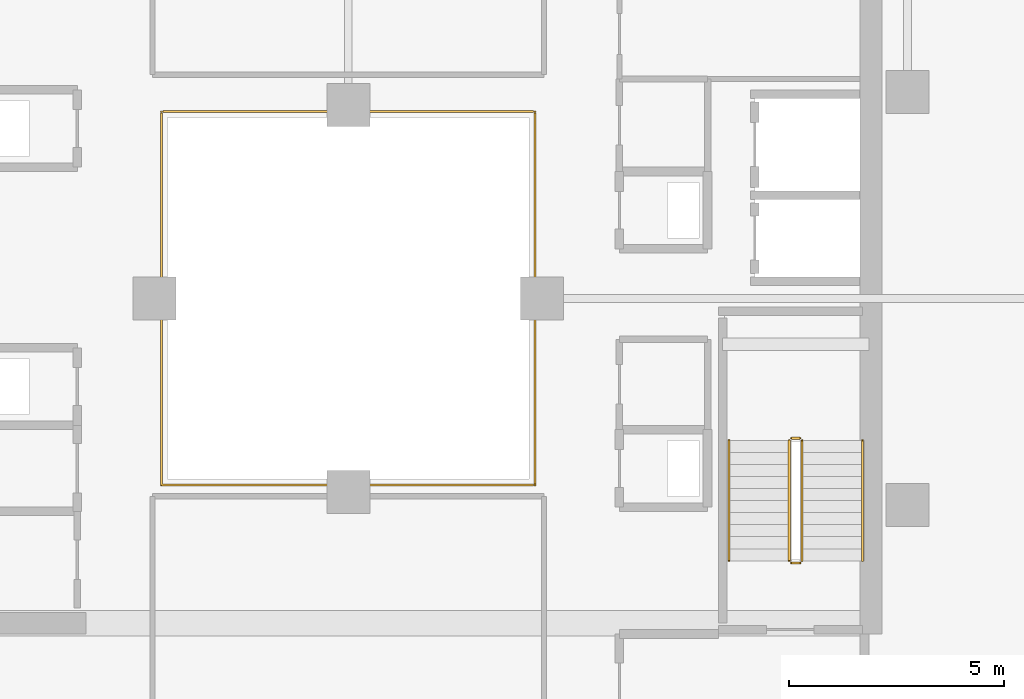
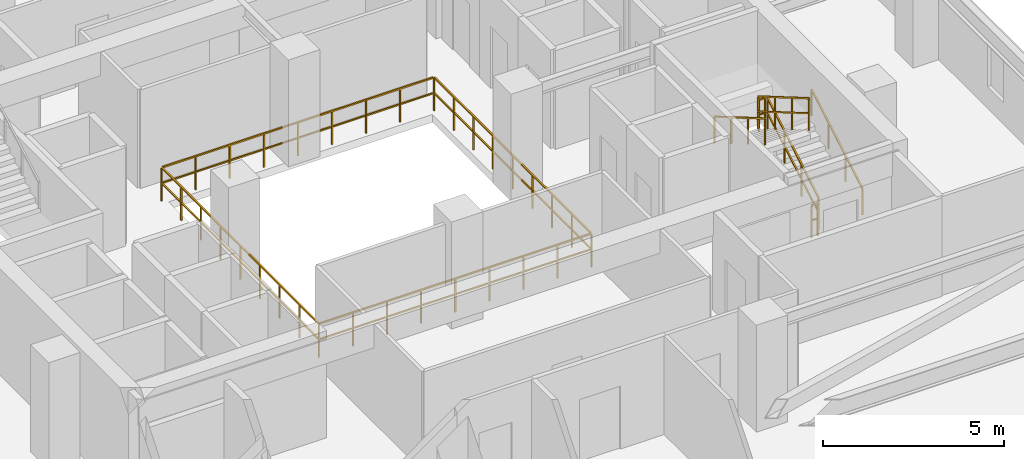
# One storey, part 31 of 32: 7 railings.
"""IFC4 building model written with IfcOpenShell, lengths in metres."""

from ifc_helpers import new_model, si_unit, direction, frame, origin, origin_2d, place, context, subcontext, project, spatial, rectangle, extrude, material, type_object, element, save


model = new_model("IFC4")

# Units and contexts
model_context = context("Model", 3, precision=1e-05, world=origin(), true_north=direction((0.0, 1.0)))
body_context = subcontext(model_context, "Body", "Model", "MODEL_VIEW")
ifc_project = project(units=[si_unit("LENGTHUNIT", "METRE"), si_unit("AREAUNIT", "SQUARE_METRE"), si_unit("VOLUMEUNIT", "CUBIC_METRE"), si_unit("PLANEANGLEUNIT", "RADIAN"), si_unit("MASSUNIT", "GRAM", prefix="KILO")], contexts=[model_context])

# Site, building, storey
site_placement = place(None, origin())
site = spatial("IfcSite", under=ifc_project, at=site_placement, CompositionType="ELEMENT")
building_placement = place(site_placement, origin())
building = spatial("IfcBuilding", under=site, at=building_placement, Name="Thornwick Lancets Civic Towers", CompositionType="ELEMENT")
storey_placement = place(building_placement, frame((0.0, 0.0, 200.10009765625)))
storey = spatial("IfcBuildingStorey", under=building, at=storey_placement, Name="L53", CompositionType="ELEMENT", Elevation=200.10009765625)

# Railings
ifc_material_1 = material(Name="Laminated glass and bronze steel S355", Category="steel")
railing_type_1 = type_object("IfcRailingType", Name="RAIL_ATRIUM_GUARD", PredefinedType="BALUSTRADE", material=ifc_material_1)
railing_1_placement = place(storey_placement, frame((84.159912109375, 22.659912109375, 0.0)))
element("IfcRailing", 1, at=railing_1_placement, inside=storey, type_object=railing_type_1, Name="L53 Tower B Central Atrium Guard Balustrade", PredefinedType="BALUSTRADE", context=body_context, shape_type="SweptSolid", body=[
    extrude(rectangle(XDim=0.048095703125, YDim=0.048095703125, at=origin_2d()), frame((0.0, 0.0, 1.1259765625), z_axis=(1.0, 0.0, 0.0), x_axis=(0.0, 1.0, 0.0)), (0.0, 0.0, 1.0), 8.64892578125),
    extrude(rectangle(XDim=0.0419921875, YDim=0.0419921875, at=origin_2d()), frame((0.03759765625, 0.0, 0.597900390625), z_axis=(1.0, 0.0, 0.0), x_axis=(0.0, 1.0, 0.0)), (0.0, 0.0, 1.0), 1.010009765625),
    extrude(rectangle(XDim=0.0419921875, YDim=0.0419921875, at=origin_2d()), frame((1.12255859375, 0.0, 0.597900390625), z_axis=(1.0, 0.0, 0.0), x_axis=(0.0, 1.0, 0.0)), (0.0, 0.0, 1.0), 1.010009765625),
    extrude(rectangle(XDim=0.0419921875, YDim=0.0419921875, at=origin_2d()), frame((2.20751953125, 0.0, 0.597900390625), z_axis=(1.0, 0.0, 0.0), x_axis=(0.0, 1.0, 0.0)), (0.0, 0.0, 1.0), 1.010009765625),
    extrude(rectangle(XDim=0.0419921875, YDim=0.0419921875, at=origin_2d()), frame((3.29248046875, 0.0, 0.597900390625), z_axis=(1.0, 0.0, 0.0), x_axis=(0.0, 1.0, 0.0)), (0.0, 0.0, 1.0), 1.010009765625),
    extrude(rectangle(XDim=0.0419921875, YDim=0.0419921875, at=origin_2d()), frame((4.377685546875, 0.0, 0.597900390625), z_axis=(1.0, 0.0, 0.0), x_axis=(0.0, 1.0, 0.0)), (0.0, 0.0, 1.0), 1.010009765625),
    extrude(rectangle(XDim=0.0419921875, YDim=0.0419921875, at=origin_2d()), frame((5.462646484375, 0.0, 0.597900390625), z_axis=(1.0, 0.0, 0.0), x_axis=(0.0, 1.0, 0.0)), (0.0, 0.0, 1.0), 1.010009765625),
    extrude(rectangle(XDim=0.0419921875, YDim=0.0419921875, at=origin_2d()), frame((6.547607421875, 0.0, 0.597900390625), z_axis=(1.0, 0.0, 0.0), x_axis=(0.0, 1.0, 0.0)), (0.0, 0.0, 1.0), 1.010009765625),
    extrude(rectangle(XDim=0.0419921875, YDim=0.0419921875, at=origin_2d()), frame((7.632568359375, 0.0, 0.597900390625), z_axis=(1.0, 0.0, 0.0), x_axis=(0.0, 1.0, 0.0)), (0.0, 0.0, 1.0), 1.010009765625),
    extrude(rectangle(XDim=0.048095703125, YDim=0.048095703125, at=origin_2d()), frame((8.68017578125, 0.03125, 1.1259765625), z_axis=(0.0, 1.0, 0.0), x_axis=(-1.0, 0.0, 0.0)), (0.0, 0.0, 1.0), 8.61767578125),
    extrude(rectangle(XDim=0.0419921875, YDim=0.0419921875, at=origin_2d()), frame((8.68017578125, 0.03759765625, 0.597900390625), z_axis=(0.0, 1.0, 0.0), x_axis=(-1.0, 0.0, 0.0)), (0.0, 0.0, 1.0), 1.010009765625),
    extrude(rectangle(XDim=0.0419921875, YDim=0.0419921875, at=origin_2d()), frame((8.68017578125, 1.12255859375, 0.597900390625), z_axis=(0.0, 1.0, 0.0), x_axis=(-1.0, 0.0, 0.0)), (0.0, 0.0, 1.0), 1.010009765625),
    extrude(rectangle(XDim=0.0419921875, YDim=0.0419921875, at=origin_2d()), frame((8.68017578125, 2.20751953125, 0.597900390625), z_axis=(0.0, 1.0, 0.0), x_axis=(-1.0, 0.0, 0.0)), (0.0, 0.0, 1.0), 1.010009765625),
    extrude(rectangle(XDim=0.0419921875, YDim=0.0419921875, at=origin_2d()), frame((8.68017578125, 3.29248046875, 0.597900390625), z_axis=(0.0, 1.0, 0.0), x_axis=(-1.0, 0.0, 0.0)), (0.0, 0.0, 1.0), 1.010009765625),
    extrude(rectangle(XDim=0.0419921875, YDim=0.0419921875, at=origin_2d()), frame((8.68017578125, 4.377685546875, 0.597900390625), z_axis=(0.0, 1.0, 0.0), x_axis=(-1.0, 0.0, 0.0)), (0.0, 0.0, 1.0), 1.010009765625),
    extrude(rectangle(XDim=0.0419921875, YDim=0.0419921875, at=origin_2d()), frame((8.68017578125, 5.462646484375, 0.597900390625), z_axis=(0.0, 1.0, 0.0), x_axis=(-1.0, 0.0, 0.0)), (0.0, 0.0, 1.0), 1.010009765625),
    extrude(rectangle(XDim=0.0419921875, YDim=0.0419921875, at=origin_2d()), frame((8.68017578125, 6.547607421875, 0.597900390625), z_axis=(0.0, 1.0, 0.0), x_axis=(-1.0, 0.0, 0.0)), (0.0, 0.0, 1.0), 1.010009765625),
    extrude(rectangle(XDim=0.0419921875, YDim=0.0419921875, at=origin_2d()), frame((8.68017578125, 7.632568359375, 0.597900390625), z_axis=(0.0, 1.0, 0.0), x_axis=(-1.0, 0.0, 0.0)), (0.0, 0.0, 1.0), 1.010009765625),
    extrude(rectangle(XDim=0.048095703125, YDim=0.048095703125, at=origin_2d()), frame((8.64892578125, 8.68017578125, 1.1259765625), z_axis=(-1.0, 0.0, 0.0), x_axis=(0.0, -1.0, 0.0)), (0.0, 0.0, 1.0), 8.61767578125),
    extrude(rectangle(XDim=0.0419921875, YDim=0.0419921875, at=origin_2d()), frame((8.642578125, 8.68017578125, 0.597900390625), z_axis=(-1.0, 0.0, 0.0), x_axis=(0.0, -1.0, 0.0)), (0.0, 0.0, 1.0), 1.010009765625),
    extrude(rectangle(XDim=0.0419921875, YDim=0.0419921875, at=origin_2d()), frame((7.5576171875, 8.68017578125, 0.597900390625), z_axis=(-1.0, 0.0, 0.0), x_axis=(0.0, -1.0, 0.0)), (0.0, 0.0, 1.0), 1.010009765625),
    extrude(rectangle(XDim=0.0419921875, YDim=0.0419921875, at=origin_2d()), frame((6.47265625, 8.68017578125, 0.597900390625), z_axis=(-1.0, 0.0, 0.0), x_axis=(0.0, -1.0, 0.0)), (0.0, 0.0, 1.0), 1.010009765625),
    extrude(rectangle(XDim=0.0419921875, YDim=0.0419921875, at=origin_2d()), frame((5.3876953125, 8.68017578125, 0.597900390625), z_axis=(-1.0, 0.0, 0.0), x_axis=(0.0, -1.0, 0.0)), (0.0, 0.0, 1.0), 1.010009765625),
    extrude(rectangle(XDim=0.0419921875, YDim=0.0419921875, at=origin_2d()), frame((4.302490234375, 8.68017578125, 0.597900390625), z_axis=(-1.0, 0.0, 0.0), x_axis=(0.0, -1.0, 0.0)), (0.0, 0.0, 1.0), 1.010009765625),
    extrude(rectangle(XDim=0.0419921875, YDim=0.0419921875, at=origin_2d()), frame((3.217529296875, 8.68017578125, 0.597900390625), z_axis=(-1.0, 0.0, 0.0), x_axis=(0.0, -1.0, 0.0)), (0.0, 0.0, 1.0), 1.010009765625),
    extrude(rectangle(XDim=0.0419921875, YDim=0.0419921875, at=origin_2d()), frame((2.132568359375, 8.68017578125, 0.597900390625), z_axis=(-1.0, 0.0, 0.0), x_axis=(0.0, -1.0, 0.0)), (0.0, 0.0, 1.0), 1.010009765625),
    extrude(rectangle(XDim=0.0419921875, YDim=0.0419921875, at=origin_2d()), frame((1.047607421875, 8.68017578125, 0.597900390625), z_axis=(-1.0, 0.0, 0.0), x_axis=(0.0, -1.0, 0.0)), (0.0, 0.0, 1.0), 1.010009765625),
    extrude(rectangle(XDim=0.048095703125, YDim=0.048095703125, at=origin_2d()), frame((0.0, 8.64892578125, 1.1259765625), z_axis=(0.0, -1.0, 0.0), x_axis=(1.0, 0.0, 0.0)), (0.0, 0.0, 1.0), 8.64892578125),
    extrude(rectangle(XDim=0.0419921875, YDim=0.0419921875, at=origin_2d()), frame((0.0, 8.642578125, 0.597900390625), z_axis=(0.0, -1.0, 0.0), x_axis=(1.0, 0.0, 0.0)), (0.0, 0.0, 1.0), 1.010009765625),
    extrude(rectangle(XDim=0.0419921875, YDim=0.0419921875, at=origin_2d()), frame((0.0, 7.5576171875, 0.597900390625), z_axis=(0.0, -1.0, 0.0), x_axis=(1.0, 0.0, 0.0)), (0.0, 0.0, 1.0), 1.010009765625),
    extrude(rectangle(XDim=0.0419921875, YDim=0.0419921875, at=origin_2d()), frame((0.0, 6.47265625, 0.597900390625), z_axis=(0.0, -1.0, 0.0), x_axis=(1.0, 0.0, 0.0)), (0.0, 0.0, 1.0), 1.010009765625),
    extrude(rectangle(XDim=0.0419921875, YDim=0.0419921875, at=origin_2d()), frame((0.0, 5.3876953125, 0.597900390625), z_axis=(0.0, -1.0, 0.0), x_axis=(1.0, 0.0, 0.0)), (0.0, 0.0, 1.0), 1.010009765625),
    extrude(rectangle(XDim=0.0419921875, YDim=0.0419921875, at=origin_2d()), frame((0.0, 4.302490234375, 0.597900390625), z_axis=(0.0, -1.0, 0.0), x_axis=(1.0, 0.0, 0.0)), (0.0, 0.0, 1.0), 1.010009765625),
    extrude(rectangle(XDim=0.0419921875, YDim=0.0419921875, at=origin_2d()), frame((0.0, 3.217529296875, 0.597900390625), z_axis=(0.0, -1.0, 0.0), x_axis=(1.0, 0.0, 0.0)), (0.0, 0.0, 1.0), 1.010009765625),
    extrude(rectangle(XDim=0.0419921875, YDim=0.0419921875, at=origin_2d()), frame((0.0, 2.132568359375, 0.597900390625), z_axis=(0.0, -1.0, 0.0), x_axis=(1.0, 0.0, 0.0)), (0.0, 0.0, 1.0), 1.010009765625),
    extrude(rectangle(XDim=0.0419921875, YDim=0.0419921875, at=origin_2d()), frame((0.0, 1.047607421875, 0.597900390625), z_axis=(0.0, -1.0, 0.0), x_axis=(1.0, 0.0, 0.0)), (0.0, 0.0, 1.0), 1.010009765625),
    extrude(rectangle(XDim=0.0419921875, YDim=0.0419921875, at=origin_2d()), origin(), (0.0, 0.0, 1.0), 1.095703125),
    extrude(rectangle(XDim=0.0419921875, YDim=0.0419921875, at=origin_2d()), frame((1.0849609375, 0.0, 0.0)), (0.0, 0.0, 1.0), 1.095703125),
    extrude(rectangle(XDim=0.0419921875, YDim=0.0419921875, at=origin_2d()), frame((2.169921875, 0.0, 0.0)), (0.0, 0.0, 1.0), 1.095703125),
    extrude(rectangle(XDim=0.0419921875, YDim=0.0419921875, at=origin_2d()), frame((3.255126953125, 0.0, 0.0)), (0.0, 0.0, 1.0), 1.095703125),
    extrude(rectangle(XDim=0.0419921875, YDim=0.0419921875, at=origin_2d()), frame((4.340087890625, 0.0, 0.0)), (0.0, 0.0, 1.0), 1.095703125),
    extrude(rectangle(XDim=0.0419921875, YDim=0.0419921875, at=origin_2d()), frame((5.425048828125, 0.0, 0.0)), (0.0, 0.0, 1.0), 1.095703125),
    extrude(rectangle(XDim=0.0419921875, YDim=0.0419921875, at=origin_2d()), frame((6.51025390625, 0.0, 0.0)), (0.0, 0.0, 1.0), 1.095703125),
    extrude(rectangle(XDim=0.0419921875, YDim=0.0419921875, at=origin_2d()), frame((7.59521484375, 0.0, 0.0)), (0.0, 0.0, 1.0), 1.095703125),
    extrude(rectangle(XDim=0.0419921875, YDim=0.0419921875, at=origin_2d()), frame((8.68017578125, 0.0, 0.0)), (0.0, 0.0, 1.0), 1.095703125),
    extrude(rectangle(XDim=0.0419921875, YDim=0.0419921875, at=origin_2d()), frame((8.68017578125, 1.0849609375, 0.0)), (0.0, 0.0, 1.0), 1.095703125),
    extrude(rectangle(XDim=0.0419921875, YDim=0.0419921875, at=origin_2d()), frame((8.68017578125, 2.169921875, 0.0)), (0.0, 0.0, 1.0), 1.095703125),
    extrude(rectangle(XDim=0.0419921875, YDim=0.0419921875, at=origin_2d()), frame((8.68017578125, 3.255126953125, 0.0)), (0.0, 0.0, 1.0), 1.095703125),
    extrude(rectangle(XDim=0.0419921875, YDim=0.0419921875, at=origin_2d()), frame((8.68017578125, 4.340087890625, 0.0)), (0.0, 0.0, 1.0), 1.095703125),
    extrude(rectangle(XDim=0.0419921875, YDim=0.0419921875, at=origin_2d()), frame((8.68017578125, 5.425048828125, 0.0)), (0.0, 0.0, 1.0), 1.095703125),
    extrude(rectangle(XDim=0.0419921875, YDim=0.0419921875, at=origin_2d()), frame((8.68017578125, 6.51025390625, 0.0)), (0.0, 0.0, 1.0), 1.095703125),
    extrude(rectangle(XDim=0.0419921875, YDim=0.0419921875, at=origin_2d()), frame((8.68017578125, 7.59521484375, 0.0)), (0.0, 0.0, 1.0), 1.095703125),
    extrude(rectangle(XDim=0.0419921875, YDim=0.0419921875, at=origin_2d()), frame((8.68017578125, 8.68017578125, 0.0)), (0.0, 0.0, 1.0), 1.095703125),
    extrude(rectangle(XDim=0.0419921875, YDim=0.0419921875, at=origin_2d()), frame((7.59521484375, 8.68017578125, 0.0)), (0.0, 0.0, 1.0), 1.095703125),
    extrude(rectangle(XDim=0.0419921875, YDim=0.0419921875, at=origin_2d()), frame((6.51025390625, 8.68017578125, 0.0)), (0.0, 0.0, 1.0), 1.095703125),
    extrude(rectangle(XDim=0.0419921875, YDim=0.0419921875, at=origin_2d()), frame((5.425048828125, 8.68017578125, 0.0)), (0.0, 0.0, 1.0), 1.095703125),
    extrude(rectangle(XDim=0.0419921875, YDim=0.0419921875, at=origin_2d()), frame((4.340087890625, 8.68017578125, 0.0)), (0.0, 0.0, 1.0), 1.095703125),
    extrude(rectangle(XDim=0.0419921875, YDim=0.0419921875, at=origin_2d()), frame((3.255126953125, 8.68017578125, 0.0)), (0.0, 0.0, 1.0), 1.095703125),
    extrude(rectangle(XDim=0.0419921875, YDim=0.0419921875, at=origin_2d()), frame((2.169921875, 8.68017578125, 0.0)), (0.0, 0.0, 1.0), 1.095703125),
    extrude(rectangle(XDim=0.0419921875, YDim=0.0419921875, at=origin_2d()), frame((1.0849609375, 8.68017578125, 0.0)), (0.0, 0.0, 1.0), 1.095703125),
    extrude(rectangle(XDim=0.0419921875, YDim=0.0419921875, at=origin_2d()), frame((0.0, 8.68017578125, 0.0)), (0.0, 0.0, 1.0), 1.095703125),
    extrude(rectangle(XDim=0.0419921875, YDim=0.0419921875, at=origin_2d()), frame((0.0, 7.59521484375, 0.0)), (0.0, 0.0, 1.0), 1.095703125),
    extrude(rectangle(XDim=0.0419921875, YDim=0.0419921875, at=origin_2d()), frame((0.0, 6.51025390625, 0.0)), (0.0, 0.0, 1.0), 1.095703125),
    extrude(rectangle(XDim=0.0419921875, YDim=0.0419921875, at=origin_2d()), frame((0.0, 5.425048828125, 0.0)), (0.0, 0.0, 1.0), 1.095703125),
    extrude(rectangle(XDim=0.0419921875, YDim=0.0419921875, at=origin_2d()), frame((0.0, 4.340087890625, 0.0)), (0.0, 0.0, 1.0), 1.095703125),
    extrude(rectangle(XDim=0.0419921875, YDim=0.0419921875, at=origin_2d()), frame((0.0, 3.255126953125, 0.0)), (0.0, 0.0, 1.0), 1.095703125),
    extrude(rectangle(XDim=0.0419921875, YDim=0.0419921875, at=origin_2d()), frame((0.0, 2.169921875, 0.0)), (0.0, 0.0, 1.0), 1.095703125),
    extrude(rectangle(XDim=0.0419921875, YDim=0.0419921875, at=origin_2d()), frame((0.0, 1.0849609375, 0.0)), (0.0, 0.0, 1.0), 1.095703125),
])
ifc_material_2 = material(Name="Brushed stainless steel S355", Category="steel")
railing_type_2 = type_object("IfcRailingType", Name="RAIL_HANDRAIL", PredefinedType="HANDRAIL", material=ifc_material_2)
railing_2_placement = place(storey_placement, frame((100.449951171875, 20.89990234375, 0.16357421875)))
element("IfcRailing", 2, at=railing_2_placement, inside=storey, type_object=railing_type_2, Name="L53 ST-B1 stair handrail 1", PredefinedType="HANDRAIL", context=body_context, shape_type="SweptSolid", body=[
    extrude(rectangle(XDim=0.048095703125, YDim=0.048095703125, at=origin_2d()), frame((0.0, 0.0, 0.8857421875), z_axis=(0.0, 0.863393664356, 0.504530851732), x_axis=(-1.0, 0.0, 0.0)), (0.0, 0.0, 1.0), 3.2431640625),
    extrude(rectangle(XDim=0.0419921875, YDim=0.0419921875, at=origin_2d()), origin(), (0.0, 0.0, 1.0), 0.855712890625),
    extrude(rectangle(XDim=0.0419921875, YDim=0.0419921875, at=origin_2d()), frame((0.0, 0.933349609375, 0.54541015625)), (0.0, 0.0, 1.0), 0.855712890625),
    extrude(rectangle(XDim=0.0419921875, YDim=0.0419921875, at=origin_2d()), frame((0.0, 1.86669921875, 1.0908203125)), (0.0, 0.0, 1.0), 0.855712890625),
    extrude(rectangle(XDim=0.0419921875, YDim=0.0419921875, at=origin_2d()), frame((0.0, 2.800048828125, 1.63623046875)), (0.0, 0.0, 1.0), 0.855712890625),
])
railing_3_placement = place(storey_placement, frame((97.35009765625, 23.699951171875, 1.963623046875)))
element("IfcRailing", 3, at=railing_3_placement, inside=storey, type_object=railing_type_2, Name="L53 ST-B1 stair handrail 2", PredefinedType="HANDRAIL", context=body_context, shape_type="SweptSolid", body=[
    extrude(rectangle(XDim=0.048095703125, YDim=0.048095703125, at=origin_2d()), frame((0.0, 0.0, 0.8857421875), z_axis=(0.0, -0.863393664356, 0.504530851732), x_axis=(1.0, 0.0, 0.0)), (0.0, 0.0, 1.0), 3.2431640625),
    extrude(rectangle(XDim=0.0419921875, YDim=0.0419921875, at=origin_2d()), origin(), (0.0, 0.0, 1.0), 0.855712890625),
    extrude(rectangle(XDim=0.0419921875, YDim=0.0419921875, at=origin_2d()), frame((0.0, -0.933349609375, 0.54541015625)), (0.0, 0.0, 1.0), 0.855712890625),
    extrude(rectangle(XDim=0.0419921875, YDim=0.0419921875, at=origin_2d()), frame((0.0, -1.86669921875, 1.0908203125)), (0.0, 0.0, 1.0), 0.855712890625),
    extrude(rectangle(XDim=0.0419921875, YDim=0.0419921875, at=origin_2d()), frame((0.0, -2.800048828125, 1.63623046875)), (0.0, 0.0, 1.0), 0.855712890625),
])
ifc_material_3 = material(Name="Steel S355JR", Category="steel")
railing_type_3 = type_object("IfcRailingType", Name="RAIL_STAIR_GUARD", PredefinedType="GUARDRAIL", material=ifc_material_3)
railing_4_placement = place(storey_placement, frame((99.050048828125, 20.89990234375, 0.16357421875)))
element("IfcRailing", 4, at=railing_4_placement, inside=storey, type_object=railing_type_3, Name="L53 ST-B1 stair guard 1", PredefinedType="GUARDRAIL", context=body_context, shape_type="SweptSolid", body=[
    extrude(rectangle(XDim=0.048095703125, YDim=0.048095703125, at=origin_2d()), frame((0.0, 0.0, 1.076171875), z_axis=(0.0, 0.863393664356, 0.504530851732), x_axis=(-1.0, 0.0, 0.0)), (0.0, 0.0, 1.0), 3.2431640625),
    extrude(rectangle(XDim=0.0419921875, YDim=0.0419921875, at=origin_2d()), frame((0.0, 0.032470703125, 0.591064453125), z_axis=(0.0, 0.863393664356, 0.504530851732), x_axis=(-1.0, 0.0, 0.0)), (0.0, 0.0, 1.0), 1.006103515625),
    extrude(rectangle(XDim=0.0419921875, YDim=0.0419921875, at=origin_2d()), frame((0.0, 0.9658203125, 1.136474609375), z_axis=(0.0, 0.863393664356, 0.504530851732), x_axis=(-1.0, 0.0, 0.0)), (0.0, 0.0, 1.0), 1.006103515625),
    extrude(rectangle(XDim=0.0419921875, YDim=0.0419921875, at=origin_2d()), frame((0.0, 1.899169921875, 1.681884765625), z_axis=(0.0, 0.863393664356, 0.504530851732), x_axis=(-1.0, 0.0, 0.0)), (0.0, 0.0, 1.0), 1.006103515625),
    extrude(rectangle(XDim=0.0419921875, YDim=0.0419921875, at=origin_2d()), origin(), (0.0, 0.0, 1.0), 1.0458984375),
    extrude(rectangle(XDim=0.0419921875, YDim=0.0419921875, at=origin_2d()), frame((0.0, 0.933349609375, 0.54541015625)), (0.0, 0.0, 1.0), 1.0458984375),
    extrude(rectangle(XDim=0.0419921875, YDim=0.0419921875, at=origin_2d()), frame((0.0, 1.86669921875, 1.0908203125)), (0.0, 0.0, 1.0), 1.0458984375),
    extrude(rectangle(XDim=0.0419921875, YDim=0.0419921875, at=origin_2d()), frame((0.0, 2.800048828125, 1.63623046875)), (0.0, 0.0, 1.0), 1.0458984375),
])
railing_5_placement = place(storey_placement, frame((99.0, 23.75, 1.7998046875)))
element("IfcRailing", 5, at=railing_5_placement, inside=storey, type_object=railing_type_3, Name="L53 ST-B1 stair guard 2", PredefinedType="GUARDRAIL", context=body_context, shape_type="SweptSolid", body=[
    extrude(rectangle(XDim=0.048095703125, YDim=0.048095703125, at=origin_2d()), frame((0.0, 0.0, 1.076171875), z_axis=(-1.0, 0.0, 0.0), x_axis=(0.0, -1.0, 0.0)), (0.0, 0.0, 1.0), 0.199951171875),
    extrude(rectangle(XDim=0.0419921875, YDim=0.0419921875, at=origin_2d()), frame((-0.03759765625, 0.0, 0.572021484375), z_axis=(-1.0, 0.0, 0.0), x_axis=(0.0, -1.0, 0.0)), (0.0, 0.0, 1.0), 0.125),
    extrude(rectangle(XDim=0.0419921875, YDim=0.0419921875, at=origin_2d()), origin(), (0.0, 0.0, 1.0), 1.0458984375),
    extrude(rectangle(XDim=0.0419921875, YDim=0.0419921875, at=origin_2d()), frame((-0.199951171875, 0.0, 0.0)), (0.0, 0.0, 1.0), 1.0458984375),
])
railing_6_placement = place(storey_placement, frame((98.75, 23.699951171875, 1.963623046875)))
element("IfcRailing", 6, at=railing_6_placement, inside=storey, type_object=railing_type_3, Name="L53 ST-B1 stair guard 3", PredefinedType="GUARDRAIL", context=body_context, shape_type="SweptSolid", body=[
    extrude(rectangle(XDim=0.048095703125, YDim=0.048095703125, at=origin_2d()), frame((0.0, 0.0, 1.076171875), z_axis=(0.0, -0.863393664356, 0.504530851732), x_axis=(1.0, 0.0, 0.0)), (0.0, 0.0, 1.0), 3.2431640625),
    extrude(rectangle(XDim=0.0419921875, YDim=0.0419921875, at=origin_2d()), frame((0.0, -0.032470703125, 0.591064453125), z_axis=(0.0, -0.863393664356, 0.504530851732), x_axis=(1.0, 0.0, 0.0)), (0.0, 0.0, 1.0), 1.006103515625),
    extrude(rectangle(XDim=0.0419921875, YDim=0.0419921875, at=origin_2d()), frame((0.0, -0.9658203125, 1.136474609375), z_axis=(0.0, -0.863393664356, 0.504530851732), x_axis=(1.0, 0.0, 0.0)), (0.0, 0.0, 1.0), 1.006103515625),
    extrude(rectangle(XDim=0.0419921875, YDim=0.0419921875, at=origin_2d()), frame((0.0, -1.899169921875, 1.681884765625), z_axis=(0.0, -0.863393664356, 0.504530851732), x_axis=(1.0, 0.0, 0.0)), (0.0, 0.0, 1.0), 1.006103515625),
    extrude(rectangle(XDim=0.0419921875, YDim=0.0419921875, at=origin_2d()), origin(), (0.0, 0.0, 1.0), 1.0458984375),
    extrude(rectangle(XDim=0.0419921875, YDim=0.0419921875, at=origin_2d()), frame((0.0, -0.933349609375, 0.54541015625)), (0.0, 0.0, 1.0), 1.0458984375),
    extrude(rectangle(XDim=0.0419921875, YDim=0.0419921875, at=origin_2d()), frame((0.0, -1.86669921875, 1.0908203125)), (0.0, 0.0, 1.0), 1.0458984375),
    extrude(rectangle(XDim=0.0419921875, YDim=0.0419921875, at=origin_2d()), frame((0.0, -2.800048828125, 1.63623046875)), (0.0, 0.0, 1.0), 1.0458984375),
])
railing_7_placement = place(storey_placement, frame((99.0, 20.85009765625, 0.0)))
element("IfcRailing", 7, at=railing_7_placement, inside=storey, type_object=railing_type_3, Name="L53 ST-B1 stair guard 4", PredefinedType="GUARDRAIL", context=body_context, shape_type="SweptSolid", body=[
    extrude(rectangle(XDim=0.048095703125, YDim=0.048095703125, at=origin_2d()), frame((0.0, 0.0, 1.076171875), z_axis=(-1.0, 0.0, 0.0), x_axis=(0.0, -1.0, 0.0)), (0.0, 0.0, 1.0), 0.199951171875),
    extrude(rectangle(XDim=0.0419921875, YDim=0.0419921875, at=origin_2d()), frame((-0.03759765625, 0.0, 0.572021484375), z_axis=(-1.0, 0.0, 0.0), x_axis=(0.0, -1.0, 0.0)), (0.0, 0.0, 1.0), 0.125),
    extrude(rectangle(XDim=0.0419921875, YDim=0.0419921875, at=origin_2d()), origin(), (0.0, 0.0, 1.0), 1.0458984375),
    extrude(rectangle(XDim=0.0419921875, YDim=0.0419921875, at=origin_2d()), frame((-0.199951171875, 0.0, 0.0)), (0.0, 0.0, 1.0), 1.0458984375),
])

save(model, "model.ifc")
